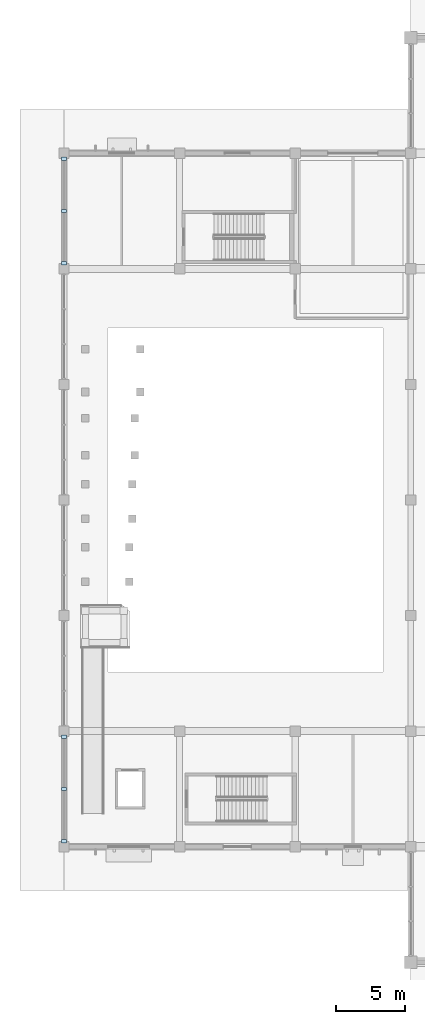
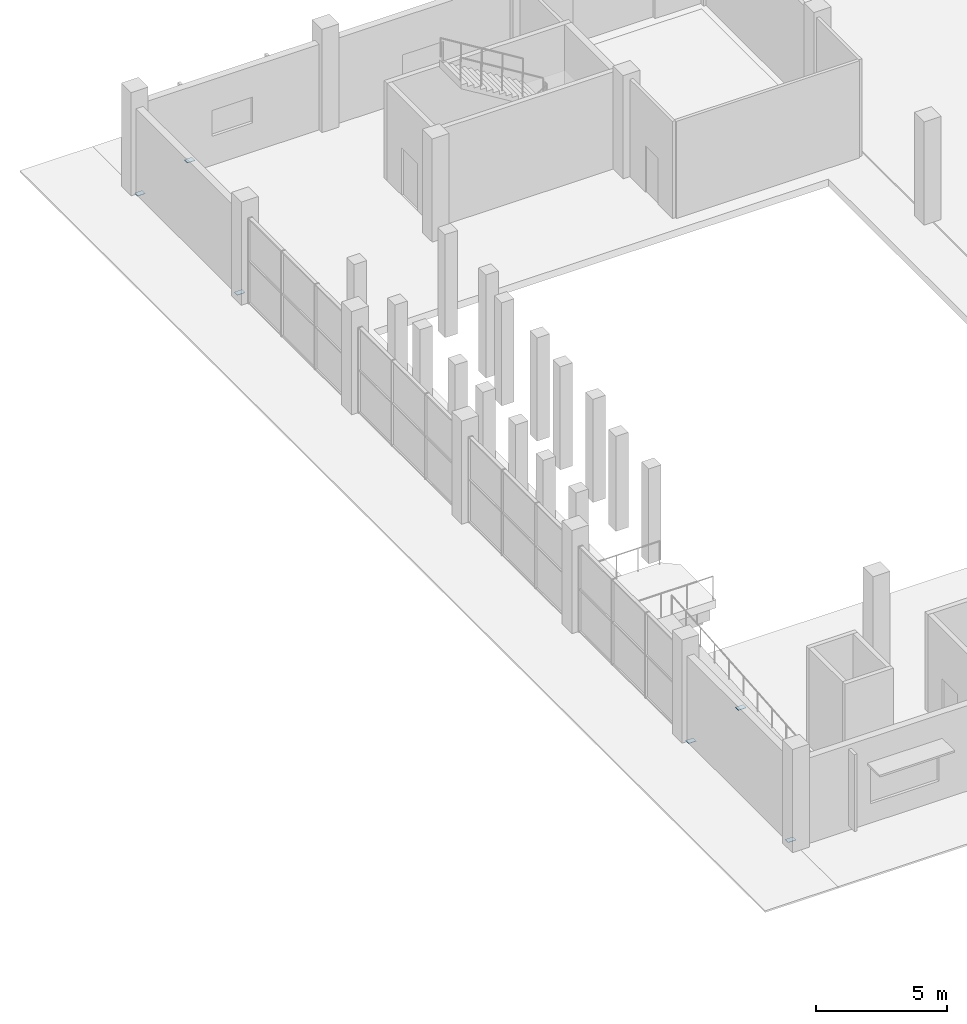
# One storey, part 88 of 130: 6 plates.
"""IFC4 building model written with IfcOpenShell, lengths in metres."""

from ifc_helpers import new_model, si_unit, direction, frame, origin, origin_2d, place, context, subcontext, project, spatial, rectangle, extrude, material, layer, layer_set, type_object, element, save


model = new_model("IFC4")

# Units and contexts
model_context = context("Model", 3, precision=1e-05, world=origin(), true_north=direction((0.0, 1.0)))
body_context = subcontext(model_context, "Body", "Model", "MODEL_VIEW")
ifc_project = project(units=[si_unit("LENGTHUNIT", "METRE"), si_unit("AREAUNIT", "SQUARE_METRE"), si_unit("VOLUMEUNIT", "CUBIC_METRE"), si_unit("PLANEANGLEUNIT", "RADIAN"), si_unit("MASSUNIT", "GRAM", prefix="KILO"), si_unit("THERMODYNAMICTEMPERATUREUNIT", "KELVIN")], contexts=[model_context])

# Site, building, storey
site_placement = place(None, origin())
site = spatial("IfcSite", under=ifc_project, at=site_placement, CompositionType="ELEMENT")
building_placement = place(site_placement, origin())
building = spatial("IfcBuilding", under=site, at=building_placement, Name="Nduvali Passage Aquatics Centre", CompositionType="ELEMENT")
storey_placement = place(building_placement, origin())
storey = spatial("IfcBuildingStorey", under=building, at=storey_placement, Name="L00", CompositionType="ELEMENT", Elevation=0.0)

# Plates
ifc_material = material(Name="Steel S355", Category="steel")
ifc_layer = layer(ifc_material, 0.01611328125, Name="Steel S355")
ifc_layer_set = layer_set([ifc_layer], Name="Steel S355")
plate_type = type_object("IfcPlateType", Name="STR-PLT-CAP1", PredefinedType="SHEET", material=ifc_layer_set)
for number, where, z_axis, x_axis, name in (
    (1, (0.0, 37.800048828125, 3.842041015625), (0.0, 0.0, 1.0), (1.0, 0.0, 0.0), "L00 Chevron Apex Gusset Plate 01"),
    (2, (0.0, 34.0, -0.008056640625), (0.0, 0.0, 1.0), (1.0, 0.0, 0.0), "L00 Brace Foot Gusset Plate 0154"),
    (3, (0.0, 41.60009765625, -0.008056640625), (0.0, 0.0, 1.0), (1.0, 0.0, 0.0), "L00 Brace Foot Gusset Plate 0155"),
    (4, (0.0, 79.800048828125, 3.842041015625), (0.0, 0.0, 1.0), (1.0, 0.0, 0.0), "L00 Chevron Apex Gusset Plate 03"),
    (5, (0.0, 76.0, -0.008056640625), (0.0, 0.0, 1.0), (1.0, 0.0, 0.0), "L00 Brace Foot Gusset Plate 0160"),
    (6, (0.0, 83.60009765625, -0.008056640625), (0.0, 0.0, 1.0), (1.0, 0.0, 0.0), "L00 Brace Foot Gusset Plate 0161"),
):
    element("IfcPlate", number, at=place(storey_placement, frame(where, z_axis=z_axis, x_axis=x_axis)), inside=storey, type_object=plate_type, Name=name, PredefinedType="SHEET", context=body_context, shape_type="SweptSolid", body=[
        extrude(rectangle(XDim=0.340087890625, YDim=0.239990234375, at=origin_2d()), origin(), (0.0, 0.0, 1.0), 0.01611328125),
    ])

save(model, "model.ifc")
